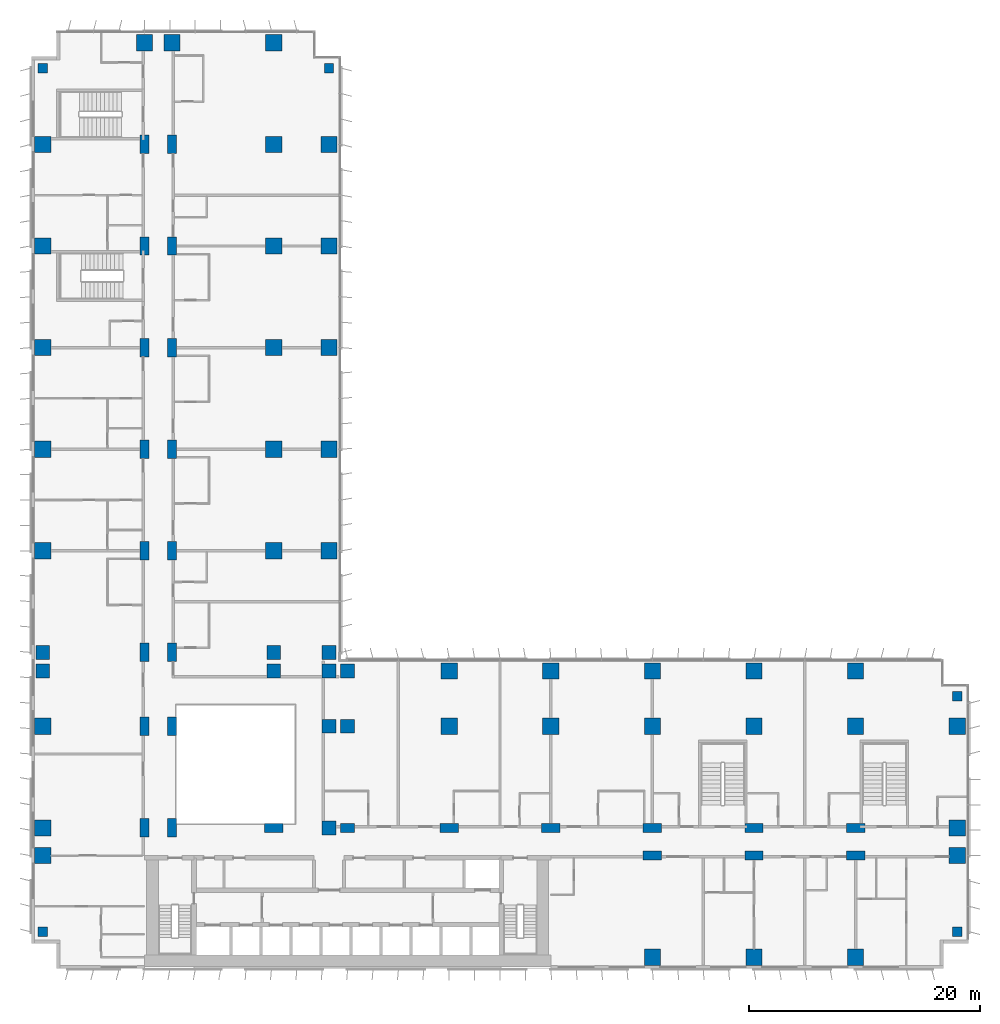
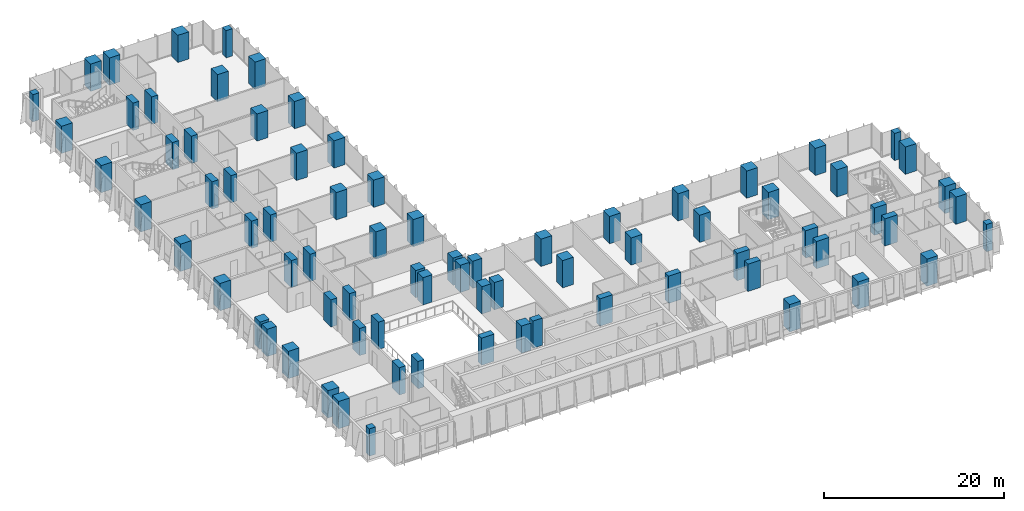
# One storey, part 1 of 24: 78 columns.
"""IFC4 building model written with IfcOpenShell, lengths in metres."""

import ifcopenshell
import ifcopenshell.guid

model = None  # the IFC model being written
_history = None  # IfcOwnerHistory: only IFC2X3 demands one
_inside = {}  # id of a spatial element -> (the spatial element, [elements in it])
_under = {}  # id of a project, library or spatial element -> (it, [spatial elements below it])
_declared = {}  # id of a project -> (the project, [libraries it declares])
_typed = {}  # id of a type object -> (the type object, [elements of that type])
_made_of = {}  # id of a material, layer set ... -> (it, [elements and type objects made of it])


def new_model(schema):
    """Start an empty IFC model of exactly this schema.

    Asked for "IFC4X3", IfcOpenShell would pick the latest addendum, in which some entities
    have other attributes; the version numbers below select the first issue.
    IFC2X3 requires an IfcOwnerHistory on every rooted entity: one is made here for all.
    """
    global model, _history
    if schema == "IFC4X3":
        model = ifcopenshell.file(schema_version=(4, 3, 0, 0))
    else:
        model = ifcopenshell.file(schema=schema)
    _inside.clear()
    _under.clear()
    _declared.clear()
    _typed.clear()
    _made_of.clear()
    _history = None
    if model.schema == "IFC2X3":
        org = make("IfcOrganization", Name="unknown")
        user = make(
            "IfcPersonAndOrganization",
            ThePerson=make("IfcPerson", FamilyName="unknown"),
            TheOrganization=org,
        )
        app = make(
            "IfcApplication",
            ApplicationDeveloper=org,
            Version="unknown",
            ApplicationFullName="unknown",
            ApplicationIdentifier="unknown",
        )
        _history = make(
            "IfcOwnerHistory",
            OwningUser=user,
            OwningApplication=app,
            ChangeAction="ADDED",
            CreationDate=0,
        )
    return model


def make(cls, **values):
    """One entity of the class cls with the attributes given. An attribute that is None is left unset."""
    return model.create_entity(
        cls, **{name: value for name, value in values.items() if value is not None}
    )


def rooted(cls, **values):
    """An entity with a GlobalId (a new one), such as an element, a storey or a relation."""
    return make(cls, GlobalId=ifcopenshell.guid.new(), OwnerHistory=_history, **values)


def si_unit(unit_type, name, prefix=None):
    """IfcSIUnit, for example si_unit("LENGTHUNIT", "METRE", prefix="MILLI")."""
    return make("IfcSIUnit", UnitType=unit_type, Prefix=prefix, Name=name)


def assignment(units):
    """IfcUnitAssignment: the units of a project."""
    return None if units is None else make("IfcUnitAssignment", Units=units)


def point(xyz):
    """IfcCartesianPoint."""
    return None if xyz is None else make("IfcCartesianPoint", Coordinates=xyz)


def direction(xyz):
    """IfcDirection."""
    return None if xyz is None else make("IfcDirection", DirectionRatios=xyz)


def frame(location, z_axis=None, x_axis=None):
    """IfcAxis2Placement3D, a coordinate frame: its origin and axes. An axis left out is left unset."""
    return make(
        "IfcAxis2Placement3D",
        Location=point(location),
        Axis=direction(z_axis),
        RefDirection=direction(x_axis),
    )


def frame_2d(location, x_axis=None):
    """IfcAxis2Placement2D, a coordinate frame in the plane: its origin and x axis."""
    return make(
        "IfcAxis2Placement2D", Location=point(location), RefDirection=direction(x_axis)
    )


def origin():
    """The frame at (0, 0, 0) with its axes left unset."""
    return frame((0.0, 0.0, 0.0))


def origin_2d():
    """The frame at (0, 0) in the plane with its x axis left unset."""
    return frame_2d((0.0, 0.0))


def place(relative_to, where):
    """IfcLocalPlacement: puts the frame where relative to a parent placement (None: the world)."""
    return make(
        "IfcLocalPlacement", PlacementRelTo=relative_to, RelativePlacement=where
    )


def context(
    kind, dimensions, precision=None, world=None, true_north=None, identifier=None
):
    """IfcGeometricRepresentationContext, for example the 3D "Model" context."""
    return make(
        "IfcGeometricRepresentationContext",
        ContextIdentifier=identifier,
        ContextType=kind,
        CoordinateSpaceDimension=dimensions,
        Precision=precision,
        WorldCoordinateSystem=world,
        TrueNorth=true_north,
    )


def subcontext(parent, identifier, kind, view, scale=None):
    """IfcGeometricRepresentationSubContext, for example "Body" below "Model"."""
    return make(
        "IfcGeometricRepresentationSubContext",
        ContextIdentifier=identifier,
        ContextType=kind,
        ParentContext=parent,
        TargetScale=scale,
        TargetView=view,
    )


def project(units=None, contexts=None):
    """IfcProject with its units and contexts."""
    return rooted(
        "IfcProject",
        Name="project",
        RepresentationContexts=contexts,
        UnitsInContext=assignment(units),
    )


def spatial(cls, under=None, at=None, **own):
    """A site, building, storey or space (cls), placed at a placement, below another one or the project."""
    s = rooted(cls, ObjectPlacement=at, **own)
    if under is not None:
        _under.setdefault(under.id(), (under, []))[1].append(s)
    return s


def profile(cls, at=None, kind="AREA", **sizes):
    """A parametric profile (cls). Its sizes go by their IFC names, for example OverallWidth=200.0."""
    return make(cls, ProfileType=kind, Position=at, **sizes)


def rectangle(**sizes):
    """IfcRectangleProfileDef."""
    return profile("IfcRectangleProfileDef", **sizes)


def extrude(swept, where, along, depth):
    """IfcExtrudedAreaSolid: the profile swept, set in the frame where, extruded along a direction by depth."""
    return make(
        "IfcExtrudedAreaSolid",
        SweptArea=swept,
        Position=where,
        ExtrudedDirection=direction(along),
        Depth=depth,
    )


def shape(context_of_items, identifier, shape_type, items):
    """IfcShapeRepresentation: the items that make up one representation, for example the "Body"."""
    return make(
        "IfcShapeRepresentation",
        ContextOfItems=context_of_items,
        RepresentationIdentifier=identifier,
        RepresentationType=shape_type,
        Items=items,
    )


def material(Name=None, Category=None):
    """IfcMaterial."""
    return make("IfcMaterial", Name=Name, Category=Category)


def material_profile(
    of_material, cross_section, Name=None, Category=None, Priority=None
):
    """IfcMaterialProfile: a cross section and its material."""
    return make(
        "IfcMaterialProfile",
        Name=Name,
        Material=of_material,
        Profile=cross_section,
        Priority=Priority,
        Category=Category,
    )


def profile_set(profiles, Name=None, composite=None):
    """IfcMaterialProfileSet."""
    return make(
        "IfcMaterialProfileSet",
        Name=Name,
        MaterialProfiles=profiles,
        CompositeProfile=composite,
    )


def made_of(thing, what):
    """Note that an element or type object is made of a material, layer set ...; save() writes the relation."""
    if what is not None:
        _made_of.setdefault(what.id(), (what, []))[1].append(thing)
    return thing


def type_object(cls, material=None, **own):
    """A type object (cls), such as IfcWallType, which elements share."""
    return made_of(rooted(cls, **own), material)


def element(
    cls,
    number,
    at=None,
    inside=None,
    cuts=None,
    type_object=None,
    material=None,
    context=None,
    identifier="Body",
    shape_type=None,
    held_by="IfcProductDefinitionShape",
    body=None,
    shapes=None,
    **own,
):
    """One element of the class cls, such as IfcWall. Its Tag is "e" and its number.

    at: its placement. inside: the storey or other place that contains it. cuts: it is an
    opening in that element (IfcRelVoidsElement). A single representation is given by context,
    identifier, shape_type and body (its items); several are given by shapes. held_by: the class
    of the entity that holds the representations. save() writes the other relations.
    """
    e = rooted(cls, Tag="e%d" % number, ObjectPlacement=at, **own)
    if body is not None:
        shapes = [shape(context, identifier, shape_type, body)]
    if shapes is not None:
        e.Representation = make(held_by, Representations=shapes)
    if inside is not None:
        _inside.setdefault(inside.id(), (inside, []))[1].append(e)
    if cuts is not None:
        rooted(
            "IfcRelVoidsElement", RelatingBuildingElement=cuts, RelatedOpeningElement=e
        )
    if type_object is not None:
        _typed.setdefault(type_object.id(), (type_object, []))[1].append(e)
    return made_of(e, material)


def aggregate(whole, parts):
    """IfcRelAggregates: a whole, such as a stair, and the parts it consists of."""
    return rooted("IfcRelAggregates", RelatingObject=whole, RelatedObjects=parts)


def save(model, path):
    """Write the relations noted so far, then the file.

    IfcRelAggregates (storeys below a building ...), IfcRelContainedInSpatialStructure (elements
    in a storey), IfcRelDefinesByType, IfcRelAssociatesMaterial and IfcRelDeclares: one each for
    every whole, place, type object, material and project.
    """
    for whole, parts in _under.values():
        aggregate(whole, parts)
    for where, things in _inside.values():
        rooted(
            "IfcRelContainedInSpatialStructure",
            RelatedElements=things,
            RelatingStructure=where,
        )
    for kind, things in _typed.values():
        rooted("IfcRelDefinesByType", RelatedObjects=things, RelatingType=kind)
    for what, things in _made_of.values():
        rooted("IfcRelAssociatesMaterial", RelatedObjects=things, RelatingMaterial=what)
    for by, libraries in _declared.values():
        rooted("IfcRelDeclares", RelatingContext=by, RelatedDefinitions=libraries)
    model.write(path)


model = new_model("IFC4")

# Units and contexts
model_context = context("Model", 3, precision=1e-05, world=origin(), true_north=direction((0.0, 1.0)))
body_context = subcontext(model_context, "Body", "Model", "MODEL_VIEW")
ifc_project = project(units=[si_unit("LENGTHUNIT", "METRE"), si_unit("AREAUNIT", "SQUARE_METRE"), si_unit("VOLUMEUNIT", "CUBIC_METRE"), si_unit("PLANEANGLEUNIT", "RADIAN"), si_unit("MASSUNIT", "GRAM", prefix="KILO")], contexts=[model_context])

# Site, building, storey
site_placement = place(None, origin())
site = spatial("IfcSite", under=ifc_project, at=site_placement, CompositionType="ELEMENT")
building_placement = place(site_placement, origin())
building = spatial("IfcBuilding", under=site, at=building_placement, Name="Kemantara Hotel Tower", CompositionType="ELEMENT")
storey_placement = place(building_placement, frame((0.0, 0.0, 79.699951171875)))
storey = spatial("IfcBuildingStorey", under=building, at=storey_placement, Name="L18", CompositionType="ELEMENT", Elevation=79.699951171875)

# Columns
ifc_material = material(Name="Concrete fc 70 MPa", Category="concrete")
ifc_material_profile_1 = material_profile(ifc_material, rectangle(XDim=1.199951171875, YDim=1.199951171875, at=origin_2d()), Name="RC 1200X1200")
ifc_profile_set_1 = profile_set([ifc_material_profile_1], Name="Concrete fc 70 MPa")
column_type_1 = type_object("IfcColumnType", Name="RC COLUMN 1200X1200 FC70", PredefinedType="COLUMN", material=ifc_profile_set_1)
for number, where, z_axis, x_axis, name in (
    (1, (1.0, 25.800048828125, 0.0), (0.0, 0.0, 1.0), (1.0, 0.0, 0.0), "COLUMN 1/CA L18"),
    (2, (1.0, 27.39990234375, 0.0), (0.0, 0.0, 1.0), (1.0, 0.0, 0.0), "COLUMN 1/D L18"),
    (3, (21.0, 25.800048828125, 0.0), (0.0, 0.0, 1.0), (1.0, 0.0, 0.0), "COLUMN 3/CA L18"),
    (4, (21.0, 27.39990234375, 0.0), (0.0, 0.0, 1.0), (1.0, 0.0, 0.0), "COLUMN 3/D L18"),
    (5, (25.800048828125, 12.199951171875, 0.0), (0.0, 0.0, 1.0), (1.0, 0.0, 0.0), "COLUMN 3A/BA L18"),
    (6, (25.800048828125, 21.0, 0.0), (0.0, 0.0, 1.0), (1.0, 0.0, 0.0), "COLUMN 3A/C L18"),
    (7, (25.800048828125, 25.800048828125, 0.0), (0.0, 0.0, 1.0), (1.0, 0.0, 0.0), "COLUMN 3A/CA L18"),
    (8, (25.800048828125, 27.39990234375, 0.0), (0.0, 0.0, 1.0), (1.0, 0.0, 0.0), "COLUMN 3A/D L18"),
    (9, (27.39990234375, 21.0, 0.0), (0.0, 0.0, 1.0), (1.0, 0.0, 0.0), "COLUMN 4/C L18"),
    (10, (27.39990234375, 25.800048828125, 0.0), (0.0, 0.0, 1.0), (1.0, 0.0, 0.0), "COLUMN 4/CA L18"),
):
    element("IfcColumn", number, at=place(storey_placement, frame(where, z_axis=z_axis, x_axis=x_axis)), inside=storey, type_object=column_type_1, Name=name, PredefinedType="COLUMN", context=body_context, shape_type="SweptSolid", body=[
        extrude(rectangle(XDim=1.199951171875, YDim=1.199951171875, at=origin_2d()), origin(), (0.0, 0.0, 1.0), 3.699951171875),
    ])
ifc_material_profile_2 = material_profile(ifc_material, rectangle(XDim=1.199951171875, YDim=0.800048828125, at=origin_2d()), Name="RC 1200X800")
ifc_profile_set_2 = profile_set([ifc_material_profile_2], Name="Concrete fc 70 MPa")
column_type_2 = type_object("IfcColumnType", Name="RC COLUMN 1200X800 FC70", PredefinedType="COLUMN", material=ifc_profile_set_2)
column_placement = place(storey_placement, frame((27.39990234375, 12.199951171875, 0.0), z_axis=(0.0, 0.0, 1.0), x_axis=(1.0, 0.0, 0.0)))
element("IfcColumn", 11, at=column_placement, inside=storey, type_object=column_type_2, Name="COLUMN 4/BA L18", PredefinedType="COLUMN", context=body_context, shape_type="SweptSolid", body=[
    extrude(rectangle(XDim=1.199951171875, YDim=0.800048828125, at=origin_2d()), origin(), (0.0, 0.0, 1.0), 3.699951171875),
])
ifc_material_profile_3 = material_profile(ifc_material, rectangle(XDim=1.39990234375, YDim=1.39990234375, at=origin_2d()), Name="RC 1400X1400")
ifc_profile_set_3 = profile_set([ifc_material_profile_3], Name="Concrete fc 70 MPa")
column_type_3 = type_object("IfcColumnType", Name="RC COLUMN 1400X1400 FC70", PredefinedType="COLUMN", material=ifc_profile_set_3)
for number, where, z_axis, x_axis, name in (
    (12, (1.0, 9.800048828125, 0.0), (0.0, 0.0, 1.0), (1.0, 0.0, 0.0), "COLUMN 1/B L18"),
    (13, (1.0, 12.199951171875, 0.0), (0.0, 0.0, 1.0), (1.0, 0.0, 0.0), "COLUMN 1/BA L18"),
    (14, (1.0, 21.0, 0.0), (0.0, 0.0, 1.0), (1.0, 0.0, 0.0), "COLUMN 1/C L18"),
    (15, (1.0, 36.199951171875, 0.0), (0.0, 0.0, 1.0), (1.0, 0.0, 0.0), "COLUMN 1/E L18"),
    (16, (1.0, 45.0, 0.0), (0.0, 0.0, 1.0), (1.0, 0.0, 0.0), "COLUMN 1/F L18"),
    (17, (1.0, 53.800048828125, 0.0), (0.0, 0.0, 1.0), (1.0, 0.0, 0.0), "COLUMN 1/G L18"),
    (18, (1.0, 62.60009765625, 0.0), (0.0, 0.0, 1.0), (1.0, 0.0, 0.0), "COLUMN 1/H L18"),
    (19, (1.0, 71.39990234375, 0.0), (0.0, 0.0, 1.0), (1.0, 0.0, 0.0), "COLUMN 1/J L18"),
    (20, (9.800048828125, 80.199951171875, 0.0), (0.0, 0.0, 1.0), (1.0, 0.0, 0.0), "COLUMN 2/K L18"),
    (21, (12.199951171875, 80.199951171875, 0.0), (0.0, 0.0, 1.0), (1.0, 0.0, 0.0), "COLUMN 2A/K L18"),
    (22, (21.0, 36.199951171875, 0.0), (0.0, 0.0, 1.0), (1.0, 0.0, 0.0), "COLUMN 3/E L18"),
    (23, (21.0, 45.0, 0.0), (0.0, 0.0, 1.0), (1.0, 0.0, 0.0), "COLUMN 3/F L18"),
    (24, (21.0, 53.800048828125, 0.0), (0.0, 0.0, 1.0), (1.0, 0.0, 0.0), "COLUMN 3/G L18"),
    (25, (21.0, 62.60009765625, 0.0), (0.0, 0.0, 1.0), (1.0, 0.0, 0.0), "COLUMN 3/H L18"),
    (26, (21.0, 71.39990234375, 0.0), (0.0, 0.0, 1.0), (1.0, 0.0, 0.0), "COLUMN 3/J L18"),
    (27, (21.0, 80.199951171875, 0.0), (0.0, 0.0, 1.0), (1.0, 0.0, 0.0), "COLUMN 3/K L18"),
    (28, (25.800048828125, 36.199951171875, 0.0), (0.0, 0.0, 1.0), (1.0, 0.0, 0.0), "COLUMN 3A/E L18"),
    (29, (25.800048828125, 45.0, 0.0), (0.0, 0.0, 1.0), (1.0, 0.0, 0.0), "COLUMN 3A/F L18"),
    (30, (25.800048828125, 53.800048828125, 0.0), (0.0, 0.0, 1.0), (1.0, 0.0, 0.0), "COLUMN 3A/G L18"),
    (31, (25.800048828125, 62.60009765625, 0.0), (0.0, 0.0, 1.0), (1.0, 0.0, 0.0), "COLUMN 3A/H L18"),
    (32, (25.800048828125, 71.39990234375, 0.0), (0.0, 0.0, 1.0), (1.0, 0.0, 0.0), "COLUMN 3A/J L18"),
    (33, (36.199951171875, 21.0, 0.0), (0.0, 0.0, 1.0), (1.0, 0.0, 0.0), "COLUMN 5/C L18"),
    (34, (36.199951171875, 25.800048828125, 0.0), (0.0, 0.0, 1.0), (1.0, 0.0, 0.0), "COLUMN 5/CA L18"),
    (35, (45.0, 21.0, 0.0), (0.0, 0.0, 1.0), (1.0, 0.0, 0.0), "COLUMN 6/C L18"),
    (36, (45.0, 25.800048828125, 0.0), (0.0, 0.0, 1.0), (1.0, 0.0, 0.0), "COLUMN 6/CA L18"),
    (37, (53.800048828125, 1.0, 0.0), (0.0, 0.0, 1.0), (1.0, 0.0, 0.0), "COLUMN 7/A L18"),
    (38, (53.800048828125, 21.0, 0.0), (0.0, 0.0, 1.0), (1.0, 0.0, 0.0), "COLUMN 7/C L18"),
    (39, (53.800048828125, 25.800048828125, 0.0), (0.0, 0.0, 1.0), (1.0, 0.0, 0.0), "COLUMN 7/CA L18"),
    (40, (62.60009765625, 1.0, 0.0), (0.0, 0.0, 1.0), (1.0, 0.0, 0.0), "COLUMN 8/A L18"),
    (41, (62.60009765625, 21.0, 0.0), (0.0, 0.0, 1.0), (1.0, 0.0, 0.0), "COLUMN 8/C L18"),
    (42, (62.60009765625, 25.800048828125, 0.0), (0.0, 0.0, 1.0), (1.0, 0.0, 0.0), "COLUMN 8/CA L18"),
    (43, (71.39990234375, 1.0, 0.0), (0.0, 0.0, 1.0), (1.0, 0.0, 0.0), "COLUMN 9/A L18"),
    (44, (71.39990234375, 21.0, 0.0), (0.0, 0.0, 1.0), (1.0, 0.0, 0.0), "COLUMN 9/C L18"),
    (45, (71.39990234375, 25.800048828125, 0.0), (0.0, 0.0, 1.0), (1.0, 0.0, 0.0), "COLUMN 9/CA L18"),
    (46, (80.199951171875, 9.800048828125, 0.0), (0.0, 0.0, 1.0), (1.0, 0.0, 0.0), "COLUMN 10/B L18"),
    (47, (80.199951171875, 12.199951171875, 0.0), (0.0, 0.0, 1.0), (1.0, 0.0, 0.0), "COLUMN 10/BA L18"),
    (48, (80.199951171875, 21.0, 0.0), (0.0, 0.0, 1.0), (1.0, 0.0, 0.0), "COLUMN 10/C L18"),
):
    element("IfcColumn", number, at=place(storey_placement, frame(where, z_axis=z_axis, x_axis=x_axis)), inside=storey, type_object=column_type_3, Name=name, PredefinedType="COLUMN", context=body_context, shape_type="SweptSolid", body=[
        extrude(rectangle(XDim=1.39990234375, YDim=1.39990234375, at=origin_2d()), origin(), (0.0, 0.0, 1.0), 3.699951171875),
    ])
ifc_material_profile_4 = material_profile(ifc_material, rectangle(XDim=1.60009765625, YDim=0.800048828125, at=origin_2d()), Name="RC 1600X800")
ifc_profile_set_4 = profile_set([ifc_material_profile_4], Name="Concrete fc 70 MPa")
column_type_4 = type_object("IfcColumnType", Name="RC COLUMN 1600X800 FC70", PredefinedType="COLUMN", material=ifc_profile_set_4)
for number, where, z_axis, x_axis, name in (
    (49, (9.800048828125, 12.199951171875, 0.0), (0.0, 0.0, 1.0), (0.0, 1.0, 0.0), "COLUMN 2/BA L18"),
    (50, (9.800048828125, 21.0, 0.0), (0.0, 0.0, 1.0), (0.0, 1.0, 0.0), "COLUMN 2/C L18"),
    (51, (9.800048828125, 27.39990234375, 0.0), (0.0, 0.0, 1.0), (0.0, 1.0, 0.0), "COLUMN 2/D L18"),
    (52, (9.800048828125, 36.199951171875, 0.0), (0.0, 0.0, 1.0), (0.0, 1.0, 0.0), "COLUMN 2/E L18"),
    (53, (9.800048828125, 45.0, 0.0), (0.0, 0.0, 1.0), (0.0, 1.0, 0.0), "COLUMN 2/F L18"),
    (54, (9.800048828125, 53.800048828125, 0.0), (0.0, 0.0, 1.0), (0.0, 1.0, 0.0), "COLUMN 2/G L18"),
    (55, (9.800048828125, 62.60009765625, 0.0), (0.0, 0.0, 1.0), (0.0, 1.0, 0.0), "COLUMN 2/H L18"),
    (56, (9.800048828125, 71.39990234375, 0.0), (0.0, 0.0, 1.0), (0.0, 1.0, 0.0), "COLUMN 2/J L18"),
    (57, (12.199951171875, 12.199951171875, 0.0), (0.0, 0.0, 1.0), (0.0, 1.0, 0.0), "COLUMN 2A/BA L18"),
    (58, (12.199951171875, 21.0, 0.0), (0.0, 0.0, 1.0), (0.0, 1.0, 0.0), "COLUMN 2A/C L18"),
    (59, (12.199951171875, 27.39990234375, 0.0), (0.0, 0.0, 1.0), (0.0, 1.0, 0.0), "COLUMN 2A/D L18"),
    (60, (12.199951171875, 36.199951171875, 0.0), (0.0, 0.0, 1.0), (0.0, 1.0, 0.0), "COLUMN 2A/E L18"),
    (61, (12.199951171875, 45.0, 0.0), (0.0, 0.0, 1.0), (0.0, 1.0, 0.0), "COLUMN 2A/F L18"),
    (62, (12.199951171875, 53.800048828125, 0.0), (0.0, 0.0, 1.0), (0.0, 1.0, 0.0), "COLUMN 2A/G L18"),
    (63, (12.199951171875, 62.60009765625, 0.0), (0.0, 0.0, 1.0), (0.0, 1.0, 0.0), "COLUMN 2A/H L18"),
    (64, (12.199951171875, 71.39990234375, 0.0), (0.0, 0.0, 1.0), (0.0, 1.0, 0.0), "COLUMN 2A/J L18"),
    (65, (21.0, 12.199951171875, 0.0), (0.0, 0.0, 1.0), (1.0, 0.0, 0.0), "COLUMN 3/BA L18"),
    (66, (36.199951171875, 12.199951171875, 0.0), (0.0, 0.0, 1.0), (1.0, 0.0, 0.0), "COLUMN 5/BA L18"),
    (67, (45.0, 12.199951171875, 0.0), (0.0, 0.0, 1.0), (1.0, 0.0, 0.0), "COLUMN 6/BA L18"),
    (68, (53.800048828125, 9.800048828125, 0.0), (0.0, 0.0, 1.0), (1.0, 0.0, 0.0), "COLUMN 7/B L18"),
    (69, (53.800048828125, 12.199951171875, 0.0), (0.0, 0.0, 1.0), (1.0, 0.0, 0.0), "COLUMN 7/BA L18"),
    (70, (62.60009765625, 9.800048828125, 0.0), (0.0, 0.0, 1.0), (1.0, 0.0, 0.0), "COLUMN 8/B L18"),
    (71, (62.60009765625, 12.199951171875, 0.0), (0.0, 0.0, 1.0), (1.0, 0.0, 0.0), "COLUMN 8/BA L18"),
    (72, (71.39990234375, 9.800048828125, 0.0), (0.0, 0.0, 1.0), (1.0, 0.0, 0.0), "COLUMN 9/B L18"),
    (73, (71.39990234375, 12.199951171875, 0.0), (0.0, 0.0, 1.0), (1.0, 0.0, 0.0), "COLUMN 9/BA L18"),
):
    element("IfcColumn", number, at=place(storey_placement, frame(where, z_axis=z_axis, x_axis=x_axis)), inside=storey, type_object=column_type_4, Name=name, PredefinedType="COLUMN", context=body_context, shape_type="SweptSolid", body=[
        extrude(rectangle(XDim=1.60009765625, YDim=0.800048828125, at=origin_2d()), origin(), (0.0, 0.0, 1.0), 3.699951171875),
    ])
ifc_material_profile_5 = material_profile(ifc_material, rectangle(XDim=0.800048828125, YDim=0.800048828125, at=origin_2d()), Name="RC 800X800")
ifc_profile_set_5 = profile_set([ifc_material_profile_5], Name="Concrete fc 70 MPa")
column_type_5 = type_object("IfcColumnType", Name="RC COLUMN 800X800 FC70", PredefinedType="COLUMN", material=ifc_profile_set_5)
for number, where, z_axis, x_axis, name in (
    (74, (1.0, 3.199951171875, 0.0), (0.0, 0.0, 1.0), (1.0, 0.0, 0.0), "COLUMN notch corner L18"),
    (75, (1.0, 78.0, 0.0), (0.0, 0.0, 1.0), (1.0, 0.0, 0.0), "COLUMN notch corner L18"),
    (76, (25.800048828125, 78.0, 0.0), (0.0, 0.0, 1.0), (1.0, 0.0, 0.0), "COLUMN notch corner L18"),
    (77, (80.199951171875, 3.199951171875, 0.0), (0.0, 0.0, 1.0), (1.0, 0.0, 0.0), "COLUMN notch corner L18"),
    (78, (80.199951171875, 23.60009765625, 0.0), (0.0, 0.0, 1.0), (1.0, 0.0, 0.0), "COLUMN notch corner L18"),
):
    element("IfcColumn", number, at=place(storey_placement, frame(where, z_axis=z_axis, x_axis=x_axis)), inside=storey, type_object=column_type_5, Name=name, PredefinedType="COLUMN", context=body_context, shape_type="SweptSolid", body=[
        extrude(rectangle(XDim=0.800048828125, YDim=0.800048828125, at=origin_2d()), origin(), (0.0, 0.0, 1.0), 3.699951171875),
    ])

save(model, "model.ifc")
